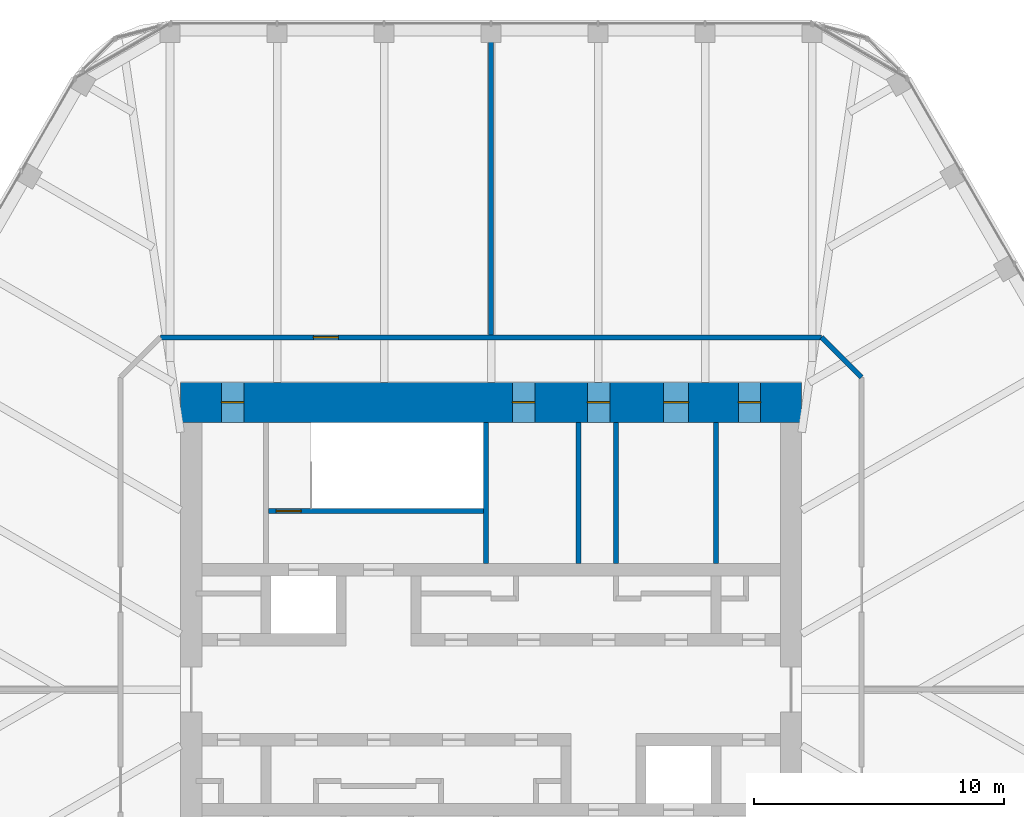
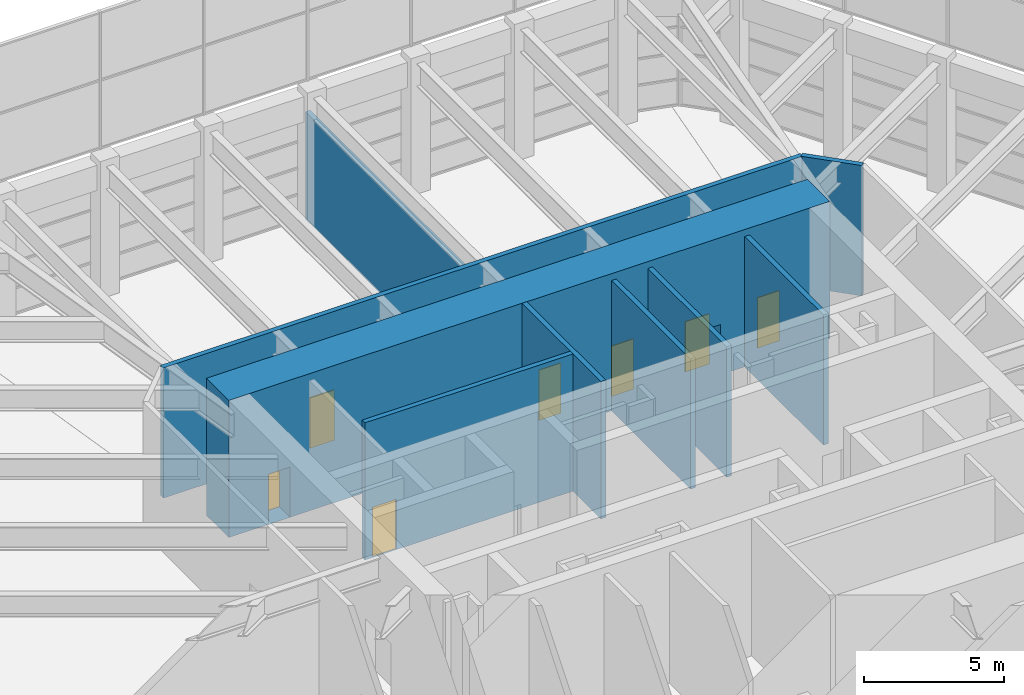
# One storey, part 16 of 17: 9 walls, 7 doors, 7 openings.
"""IFC4 building model written with IfcOpenShell, lengths in metres."""

from ifc_helpers import new_model, si_unit, direction, frame, frame_2d, origin, place, context, subcontext, project, spatial, rectangle, extrude, material, layer, layer_set, type_object, element, fill, save


model = new_model("IFC4")

# Units and contexts
model_context = context("Model", 3, precision=1e-05, world=origin(), true_north=direction((0.0, 1.0)))
body_context = subcontext(model_context, "Body", "Model", "MODEL_VIEW")
ifc_project = project(units=[si_unit("LENGTHUNIT", "METRE"), si_unit("AREAUNIT", "SQUARE_METRE"), si_unit("VOLUMEUNIT", "CUBIC_METRE"), si_unit("PLANEANGLEUNIT", "RADIAN"), si_unit("MASSUNIT", "GRAM", prefix="KILO")], contexts=[model_context])

# Site, building, storey
site_placement = place(None, origin())
site = spatial("IfcSite", under=ifc_project, at=site_placement, CompositionType="ELEMENT")
building_placement = place(site_placement, origin())
building = spatial("IfcBuilding", under=site, at=building_placement, Name="Tarfa Lantern Tower", CompositionType="ELEMENT")
storey_placement = place(building_placement, frame((0.0, 0.0, 402.300048828125)))
storey = spatial("IfcBuildingStorey", under=building, at=storey_placement, Name="L91", CompositionType="ELEMENT", Elevation=402.300048828125)

# Walls
ifc_material_1 = material(Name="Concrete blockwork", Category="masonry")
ifc_layer_1 = layer(ifc_material_1, 0.199951171875)
ifc_layer_set_1 = layer_set([ifc_layer_1], Name="IW1 BLOCKWORK PARTITION 200 EI 120")
wall_type_1 = type_object("IfcWallType", Name="IW1 BLOCKWORK PARTITION 200 EI 120", PredefinedType="PARTITIONING", material=ifc_layer_set_1)
for number, where, z_axis, x_axis, name in (
    (1, (9.0, 5.050048828125, 0.0), (0.0, 0.0, 1.0), (0.0, 1.0, 0.0), "Core partition"),
    (2, (3.5, 5.050048828125, 0.0), (0.0, 0.0, 1.0), (0.0, 1.0, 0.0), "Core partition"),
    (3, (5.0, 5.050048828125, 0.0), (0.0, 0.0, 1.0), (0.0, 1.0, 0.0), "Core partition"),
):
    element("IfcWall", number, at=place(storey_placement, frame(where, z_axis=z_axis, x_axis=x_axis)), inside=storey, type_object=wall_type_1, Name=name, PredefinedType="PARTITIONING", context=body_context, shape_type="SweptSolid", body=[
        extrude(rectangle(XDim=5.64990234375, YDim=0.199951171875, at=frame_2d((2.824951171875, 0.0))), origin(), (0.0, 0.0, 1.0), 5.699951171875),
    ])

# Wall, opening, door
wall_1_placement = place(storey_placement, frame((-13.22509765625, 14.10009765625, 0.0), z_axis=(0.0, 0.0, 1.0), x_axis=(1.0, 0.0, 0.0)))
wall_1 = element("IfcWall", 4, at=wall_1_placement, inside=storey, type_object=wall_type_1, Name="Fire-rated partition", PredefinedType="PARTITIONING", context=body_context, shape_type="SweptSolid", body=[
    extrude(rectangle(XDim=26.4501953125, YDim=0.199951171875, at=frame_2d((13.22509765625, 0.0))), origin(), (0.0, 0.0, 1.0), 5.699951171875),
])
opening_1_placement = place(wall_1_placement, frame((6.112548828125, 0.0, 0.0)))
opening_1 = element("IfcOpeningElement", 5, at=opening_1_placement, cuts=wall_1, Name="Opening D33", PredefinedType="OPENING", context=body_context, shape_type="SweptSolid", body=[
    extrude(rectangle(XDim=1.0, YDim=2.199951171875, at=frame_2d((0.5, 1.10009765625))), frame((0.0, 0.10986328125, 0.0), z_axis=(0.0, -1.0, 0.0), x_axis=(1.0, 0.0, 0.0)), (0.0, 0.0, 1.0), 0.219970703125),
])
ifc_material_2 = material(Name="Timber door", Category="wood")
door_type_1 = type_object("IfcDoorType", Name="DR1 ROOM DOOR 1000x2200", OperationType="SINGLE_SWING_LEFT", PredefinedType="DOOR", material=ifc_material_2)
door_1_placement = place(opening_1_placement, origin())
door_1 = element("IfcDoor", 6, at=door_1_placement, inside=storey, type_object=door_type_1, Name="Corridor door", OperationType="SINGLE_SWING_RIGHT", OverallHeight=2.199951171875, OverallWidth=1.0, PredefinedType="DOOR", context=body_context, shape_type="SweptSolid", body=[
    extrude(rectangle(XDim=1.0, YDim=2.199951171875, at=frame_2d((0.5, 1.10009765625))), frame((0.0, 0.02490234375, 0.0), z_axis=(0.0, -1.0, 0.0), x_axis=(1.0, 0.0, 0.0)), (0.0, 0.0, 1.0), 0.050048828125),
])
fill(opening_1, door_1)

# Walls
wall_2_placement = place(storey_placement, frame((13.22509765625, 14.10009765625, 0.0), z_axis=(0.0, 0.0, 1.0), x_axis=(0.707052830339, -0.707160727918, 0.0)))
element("IfcWall", 7, at=wall_2_placement, inside=storey, type_object=wall_type_1, Name="Fire-rated partition", PredefinedType="PARTITIONING", context=body_context, shape_type="SweptSolid", body=[
    extrude(rectangle(XDim=2.2626953125, YDim=0.199951171875, at=frame_2d((1.13134765625, 0.0))), origin(), (0.0, 0.0, 1.0), 5.699951171875),
])
wall_3_placement = place(storey_placement, frame((0.0, 14.199951171875, 0.0), z_axis=(0.0, 0.0, 1.0), x_axis=(0.0, 1.0, 0.0)))
element("IfcWall", 8, at=wall_3_placement, inside=storey, type_object=wall_type_1, Name="Fire-rated partition", PredefinedType="PARTITIONING", context=body_context, shape_type="SweptSolid", body=[
    extrude(rectangle(XDim=12.360107421875, YDim=0.199951171875, at=frame_2d((6.18017578125, 0.0))), origin(), (0.0, 0.0, 1.0), 4.69189453125),
])
ifc_material_3 = material(Name="Concrete C80/95", Category="concrete")
ifc_layer_2 = layer(ifc_material_3, 0.199951171875)
ifc_layer_set_2 = layer_set([ifc_layer_2], Name="SW12 CORE WALL 200")
wall_type_2 = type_object("IfcWallType", Name="SW12 CORE WALL 200", PredefinedType="SHEAR", material=ifc_layer_set_2)
wall_4_placement = place(storey_placement, frame((-0.199951171875, 5.050048828125, 0.0), z_axis=(0.0, 0.0, 1.0), x_axis=(0.0, 1.0, 0.0)))
element("IfcWall", 9, at=wall_4_placement, inside=storey, type_object=wall_type_2, Name="Core wall stair shaft N", PredefinedType="SHEAR", context=body_context, shape_type="SweptSolid", body=[
    extrude(rectangle(XDim=5.64990234375, YDim=0.199951171875, at=frame_2d((2.824951171875, 0.0))), origin(), (0.0, 0.0, 1.0), 6.0),
])

# Wall, opening, door
wall_5_placement = place(storey_placement, frame((-8.89990234375, 7.14990234375, 0.0), z_axis=(0.0, 0.0, 1.0), x_axis=(1.0, 0.0, 0.0)))
wall_5 = element("IfcWall", 10, at=wall_5_placement, inside=storey, type_object=wall_type_2, Name="Core wall stair partition N", PredefinedType="SHEAR", context=body_context, shape_type="SweptSolid", body=[
    extrude(rectangle(XDim=8.599853515625, YDim=0.199951171875, at=frame_2d((4.2998046875, 0.0))), origin(), (0.0, 0.0, 1.0), 6.0),
])
opening_2_placement = place(wall_5_placement, frame((0.300048828125, 0.0, 0.0)))
opening_2 = element("IfcOpeningElement", 11, at=opening_2_placement, cuts=wall_5, Name="Opening D27", PredefinedType="OPENING", context=body_context, shape_type="SweptSolid", body=[
    extrude(rectangle(XDim=1.0, YDim=2.199951171875, at=frame_2d((0.5, 1.10009765625))), frame((0.0, 0.10986328125, 0.0), z_axis=(0.0, -1.0, 0.0), x_axis=(1.0, 0.0, 0.0)), (0.0, 0.0, 1.0), 0.219970703125),
])
ifc_material_4 = material(Name="Steel fire door", Category="steel")
door_type_2 = type_object("IfcDoorType", Name="DF2 STAIR DOOR 1000x2200", OperationType="SINGLE_SWING_LEFT", PredefinedType="DOOR", material=ifc_material_4)
door_2_placement = place(opening_2_placement, origin())
door_2 = element("IfcDoor", 12, at=door_2_placement, inside=storey, type_object=door_type_2, Name="Stair door", OperationType="SINGLE_SWING_RIGHT", OverallHeight=2.199951171875, OverallWidth=1.0, PredefinedType="DOOR", context=body_context, shape_type="SweptSolid", body=[
    extrude(rectangle(XDim=1.0, YDim=2.199951171875, at=frame_2d((0.5, 1.10009765625))), frame((0.0, 0.02490234375, 0.0), z_axis=(0.0, -1.0, 0.0), x_axis=(1.0, 0.0, 0.0)), (0.0, 0.0, 1.0), 0.050048828125),
])
fill(opening_2, door_2)

# Wall, openings, doors
ifc_layer_3 = layer(ifc_material_3, 1.60009765625)
ifc_layer_set_3 = layer_set([ifc_layer_3], Name="SW7 CORE WALL 1600")
wall_type_3 = type_object("IfcWallType", Name="SW7 CORE WALL 1600", PredefinedType="SHEAR", material=ifc_layer_set_3)
wall_6_placement = place(storey_placement, frame((-12.425048828125, 11.5, 0.0), z_axis=(0.0, 0.0, 1.0), x_axis=(1.0, 0.0, 0.0)))
wall_6 = element("IfcWall", 13, at=wall_6_placement, inside=storey, type_object=wall_type_3, Name="Core wall N", PredefinedType="SHEAR", context=body_context, shape_type="SweptSolid", body=[
    extrude(rectangle(XDim=24.85009765625, YDim=1.60009765625, at=frame_2d((12.425048828125, 0.0))), origin(), (0.0, 0.0, 1.0), 6.0),
])
opening_3_placement = place(wall_6_placement, frame((13.27490234375, 0.0, 0.0)))
opening_3 = element("IfcOpeningElement", 14, at=opening_3_placement, cuts=wall_6, Name="Opening D21", PredefinedType="OPENING", context=body_context, shape_type="SweptSolid", body=[
    extrude(rectangle(XDim=0.89990234375, YDim=2.199951171875, at=frame_2d((0.449951171875, 1.10009765625))), frame((0.0, 0.81005859375, 0.0), z_axis=(0.0, -1.0, 0.0), x_axis=(1.0, 0.0, 0.0)), (0.0, 0.0, 1.0), 1.6201171875),
])
opening_4_placement = place(wall_6_placement, frame((16.27490234375, 0.0, 0.0)))
opening_4 = element("IfcOpeningElement", 15, at=opening_4_placement, cuts=wall_6, Name="Opening D23", PredefinedType="OPENING", context=body_context, shape_type="SweptSolid", body=[
    extrude(rectangle(XDim=0.89990234375, YDim=2.199951171875, at=frame_2d((0.449951171875, 1.10009765625))), frame((0.0, 0.81005859375, 0.0), z_axis=(0.0, -1.0, 0.0), x_axis=(1.0, 0.0, 0.0)), (0.0, 0.0, 1.0), 1.6201171875),
])
opening_5_placement = place(wall_6_placement, frame((19.324951171875, 0.0, 0.0)))
opening_5 = element("IfcOpeningElement", 16, at=opening_5_placement, cuts=wall_6, Name="Opening D25", PredefinedType="OPENING", context=body_context, shape_type="SweptSolid", body=[
    extrude(rectangle(XDim=1.0, YDim=2.199951171875, at=frame_2d((0.5, 1.10009765625))), frame((0.0, 0.81005859375, 0.0), z_axis=(0.0, -1.0, 0.0), x_axis=(1.0, 0.0, 0.0)), (0.0, 0.0, 1.0), 1.6201171875),
])
opening_6_placement = place(wall_6_placement, frame((1.637451171875, 0.0, 0.0)))
opening_6 = element("IfcOpeningElement", 17, at=opening_6_placement, cuts=wall_6, Name="Opening D03", PredefinedType="OPENING", context=body_context, shape_type="SweptSolid", body=[
    extrude(rectangle(XDim=0.89990234375, YDim=2.199951171875, at=frame_2d((0.449951171875, 1.10009765625))), frame((0.0, 0.81005859375, 0.0), z_axis=(0.0, -1.0, 0.0), x_axis=(1.0, 0.0, 0.0)), (0.0, 0.0, 1.0), 1.6201171875),
])
opening_7_placement = place(wall_6_placement, frame((22.3125, 0.0, 0.0)))
opening_7 = element("IfcOpeningElement", 18, at=opening_7_placement, cuts=wall_6, Name="Opening D01", PredefinedType="OPENING", context=body_context, shape_type="SweptSolid", body=[
    extrude(rectangle(XDim=0.89990234375, YDim=2.199951171875, at=frame_2d((0.449951171875, 1.10009765625))), frame((0.0, 0.81005859375, 0.0), z_axis=(0.0, -1.0, 0.0), x_axis=(1.0, 0.0, 0.0)), (0.0, 0.0, 1.0), 1.6201171875),
])
door_type_3 = type_object("IfcDoorType", Name="DF3 CORE ROOM DOOR 900x2200", OperationType="SINGLE_SWING_LEFT", PredefinedType="DOOR", material=ifc_material_4)
door_3_placement = place(opening_3_placement, frame((0.89990234375, 0.0, 0.0), z_axis=(0.0, 0.0, 1.0), x_axis=(-1.0, 0.0, 0.0)))
door_3 = element("IfcDoor", 19, at=door_3_placement, inside=storey, type_object=door_type_3, Name="Core door", OperationType="SINGLE_SWING_LEFT", OverallHeight=2.199951171875, OverallWidth=0.89990234375, PredefinedType="DOOR", context=body_context, shape_type="SweptSolid", body=[
    extrude(rectangle(XDim=0.89990234375, YDim=2.199951171875, at=frame_2d((0.449951171875, 1.10009765625))), frame((0.0, 0.02490234375, 0.0), z_axis=(0.0, -1.0, 0.0), x_axis=(1.0, 0.0, 0.0)), (0.0, 0.0, 1.0), 0.050048828125),
])
fill(opening_3, door_3)
door_4_placement = place(opening_4_placement, frame((0.89990234375, 0.0, 0.0), z_axis=(0.0, 0.0, 1.0), x_axis=(-1.0, 0.0, 0.0)))
door_4 = element("IfcDoor", 20, at=door_4_placement, inside=storey, type_object=door_type_3, Name="Core door", OperationType="SINGLE_SWING_RIGHT", OverallHeight=2.199951171875, OverallWidth=0.89990234375, PredefinedType="DOOR", context=body_context, shape_type="SweptSolid", body=[
    extrude(rectangle(XDim=0.89990234375, YDim=2.199951171875, at=frame_2d((0.449951171875, 1.10009765625))), frame((0.0, 0.02490234375, 0.0), z_axis=(0.0, -1.0, 0.0), x_axis=(1.0, 0.0, 0.0)), (0.0, 0.0, 1.0), 0.050048828125),
])
fill(opening_4, door_4)
door_type_4 = type_object("IfcDoorType", Name="DF4 CORE ROOM DOOR 1000x2200", OperationType="SINGLE_SWING_LEFT", PredefinedType="DOOR", material=ifc_material_4)
door_5_placement = place(opening_5_placement, frame((1.0, 0.0, 0.0), z_axis=(0.0, 0.0, 1.0), x_axis=(-1.0, 0.0, 0.0)))
door_5 = element("IfcDoor", 21, at=door_5_placement, inside=storey, type_object=door_type_4, Name="Core door", OperationType="SINGLE_SWING_RIGHT", OverallHeight=2.199951171875, OverallWidth=1.0, PredefinedType="DOOR", context=body_context, shape_type="SweptSolid", body=[
    extrude(rectangle(XDim=1.0, YDim=2.199951171875, at=frame_2d((0.5, 1.10009765625))), frame((0.0, 0.02490234375, 0.0), z_axis=(0.0, -1.0, 0.0), x_axis=(1.0, 0.0, 0.0)), (0.0, 0.0, 1.0), 0.050048828125),
])
fill(opening_5, door_5)
door_type_5 = type_object("IfcDoorType", Name="DF5 RISER DOOR 900x2200", OperationType="SINGLE_SWING_LEFT", PredefinedType="DOOR", material=ifc_material_4)
door_6_placement = place(opening_6_placement, frame((0.89990234375, 0.0, 0.0), z_axis=(0.0, 0.0, 1.0), x_axis=(-1.0, 0.0, 0.0)))
door_6 = element("IfcDoor", 22, at=door_6_placement, inside=storey, type_object=door_type_5, Name="Riser door", OperationType="SINGLE_SWING_LEFT", OverallHeight=2.199951171875, OverallWidth=0.89990234375, PredefinedType="DOOR", context=body_context, shape_type="SweptSolid", body=[
    extrude(rectangle(XDim=0.89990234375, YDim=2.199951171875, at=frame_2d((0.449951171875, 1.10009765625))), frame((0.0, 0.02490234375, 0.0), z_axis=(0.0, -1.0, 0.0), x_axis=(1.0, 0.0, 0.0)), (0.0, 0.0, 1.0), 0.050048828125),
])
fill(opening_6, door_6)
door_7_placement = place(opening_7_placement, frame((0.89990234375, 0.0, 0.0), z_axis=(0.0, 0.0, 1.0), x_axis=(-1.0, 0.0, 0.0)))
door_7 = element("IfcDoor", 23, at=door_7_placement, inside=storey, type_object=door_type_5, Name="Riser door", OperationType="SINGLE_SWING_RIGHT", OverallHeight=2.199951171875, OverallWidth=0.89990234375, PredefinedType="DOOR", context=body_context, shape_type="SweptSolid", body=[
    extrude(rectangle(XDim=0.89990234375, YDim=2.199951171875, at=frame_2d((0.449951171875, 1.10009765625))), frame((0.0, 0.02490234375, 0.0), z_axis=(0.0, -1.0, 0.0), x_axis=(1.0, 0.0, 0.0)), (0.0, 0.0, 1.0), 0.050048828125),
])
fill(opening_7, door_7)

save(model, "model.ifc")
